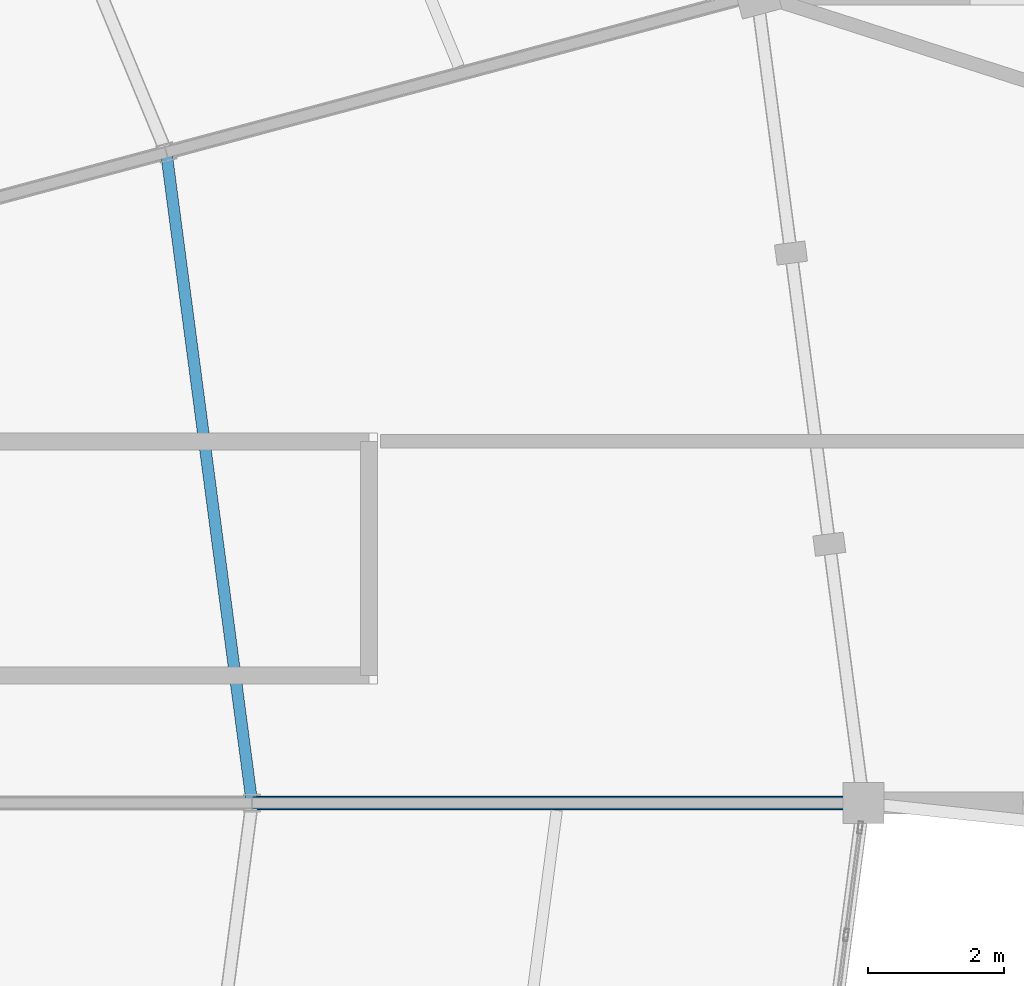
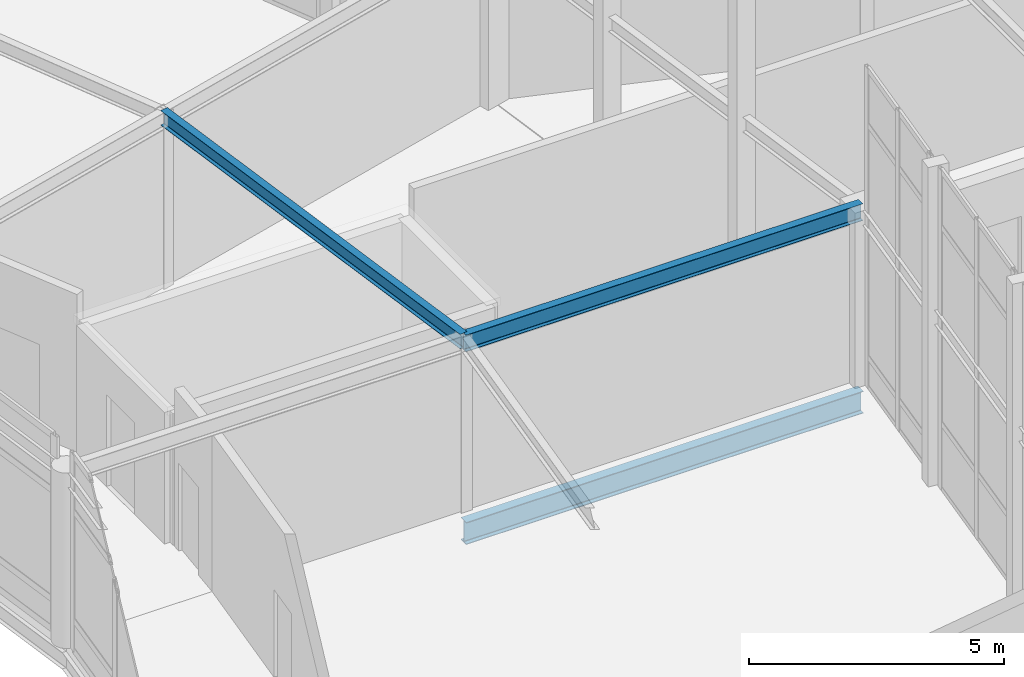
# One storey, part 117 of 185: 3 beams.
"""IFC4 building model written with IfcOpenShell, lengths in metres."""

from ifc_helpers import new_model, si_unit, direction, frame, origin, origin_2d, place, context, subcontext, project, spatial, i_section, extrude, material, material_profile, profile_set, type_object, element, save


model = new_model("IFC4")

# Units and contexts
model_context = context("Model", 3, precision=1e-05, world=origin(), true_north=direction((0.0, 1.0)))
body_context = subcontext(model_context, "Body", "Model", "MODEL_VIEW")
ifc_project = project(units=[si_unit("LENGTHUNIT", "METRE"), si_unit("AREAUNIT", "SQUARE_METRE"), si_unit("VOLUMEUNIT", "CUBIC_METRE"), si_unit("PLANEANGLEUNIT", "RADIAN"), si_unit("MASSUNIT", "GRAM", prefix="KILO")], contexts=[model_context])

# Site, building, storey
site_placement = place(None, origin())
site = spatial("IfcSite", under=ifc_project, at=site_placement, CompositionType="ELEMENT")
building_placement = place(site_placement, origin())
building = spatial("IfcBuilding", under=site, at=building_placement, Name="Vondelvale Polytechnic", CompositionType="ELEMENT")
storey_placement = place(building_placement, frame((0.0, 0.0, 9.60009765625)))
storey = spatial("IfcBuildingStorey", under=building, at=storey_placement, Name="L02", CompositionType="ELEMENT", Elevation=9.60009765625)

# Beams
ifc_material = material(Name="Steel 300PLUS (fy = 300 MPa)", Category="steel")
ifc_material_profile_1 = material_profile(ifc_material, i_section(OverallWidth=0.1708984375, OverallDepth=0.35205078125, WebThickness=0.0068359375, FlangeThickness=0.009765625, FilletRadius=0.011474609375, at=origin_2d()), Name="360UB44.7")
ifc_profile_set_1 = profile_set([ifc_material_profile_1], Name="Steel 300PLUS (fy = 300 MPa)")
beam_type_1 = type_object("IfcBeamType", Name="BM-UB360L", PredefinedType="BEAM", material=ifc_profile_set_1)
beam_1_placement = place(storey_placement, frame((139.0, 72.0, 4.02392578125), z_axis=(-0.130524472487, 0.991445087779, 0.0), x_axis=(-0.991445087779, -0.130524472487, 0.0)))
element("IfcBeam", 1, at=beam_1_placement, inside=storey, type_object=beam_type_1, Name="L02 RE B-24", PredefinedType="BEAM", context=body_context, shape_type="SweptSolid", body=[
    extrude(i_section(OverallWidth=0.1708984375, OverallDepth=0.35205078125, WebThickness=0.0068359375, FlangeThickness=0.009765625, FilletRadius=0.011474609375, at=origin_2d()), origin(), (0.0, 0.0, 1.0), 9.658935546875),
])
ifc_material_profile_2 = material_profile(ifc_material, i_section(OverallWidth=0.177978515625, OverallDepth=0.403076171875, WebThickness=0.007568359375, FlangeThickness=0.010986328125, FilletRadius=0.011474609375, at=origin_2d()), Name="410UB53.7")
ifc_profile_set_2 = profile_set([ifc_material_profile_2], Name="Steel 300PLUS (fy = 300 MPa)")
beam_type_2 = type_object("IfcBeamType", Name="BM-UB410L", PredefinedType="BEAM", material=ifc_profile_set_2)
beam_2_placement = place(storey_placement, frame((139.0, 72.0, 3.998291015625), z_axis=(1.0, 0.0, 0.0), x_axis=(0.0, 1.0, 0.0)))
element("IfcBeam", 2, at=beam_2_placement, inside=storey, type_object=beam_type_2, Name="L02 REG B-23", PredefinedType="BEAM", context=body_context, shape_type="SweptSolid", body=[
    extrude(i_section(OverallWidth=0.177978515625, OverallDepth=0.403076171875, WebThickness=0.007568359375, FlangeThickness=0.010986328125, FilletRadius=0.011474609375, at=origin_2d()), origin(), (0.0, 0.0, 1.0), 9.0),
])
ifc_material_profile_3 = material_profile(ifc_material, i_section(OverallWidth=0.208984375, OverallDepth=0.532958984375, WebThickness=0.01025390625, FlangeThickness=0.015625, FilletRadius=0.013916015625, at=origin_2d()), Name="530UB92.4")
ifc_profile_set_3 = profile_set([ifc_material_profile_3], Name="Steel 300PLUS (fy = 300 MPa)")
beam_type_3 = type_object("IfcBeamType", Name="BM-UB530", PredefinedType="BEAM", material=ifc_profile_set_3)
beam_3_placement = place(storey_placement, frame((139.0, 72.0, -0.546630859375), z_axis=(1.0, 0.0, 0.0), x_axis=(0.0, 1.0, 0.0)))
element("IfcBeam", 3, at=beam_3_placement, inside=storey, type_object=beam_type_3, Name="L02 RG B-11", PredefinedType="BEAM", context=body_context, shape_type="SweptSolid", body=[
    extrude(i_section(OverallWidth=0.208984375, OverallDepth=0.532958984375, WebThickness=0.01025390625, FlangeThickness=0.015625, FilletRadius=0.013916015625, at=origin_2d()), origin(), (0.0, 0.0, 1.0), 9.0),
])

save(model, "model.ifc")
